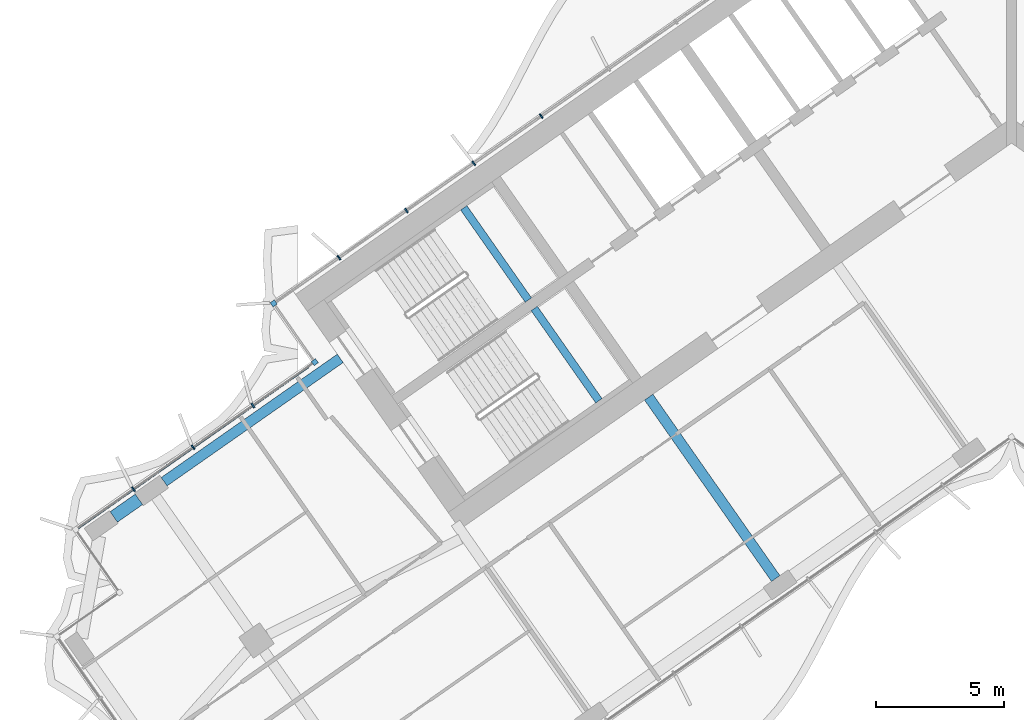
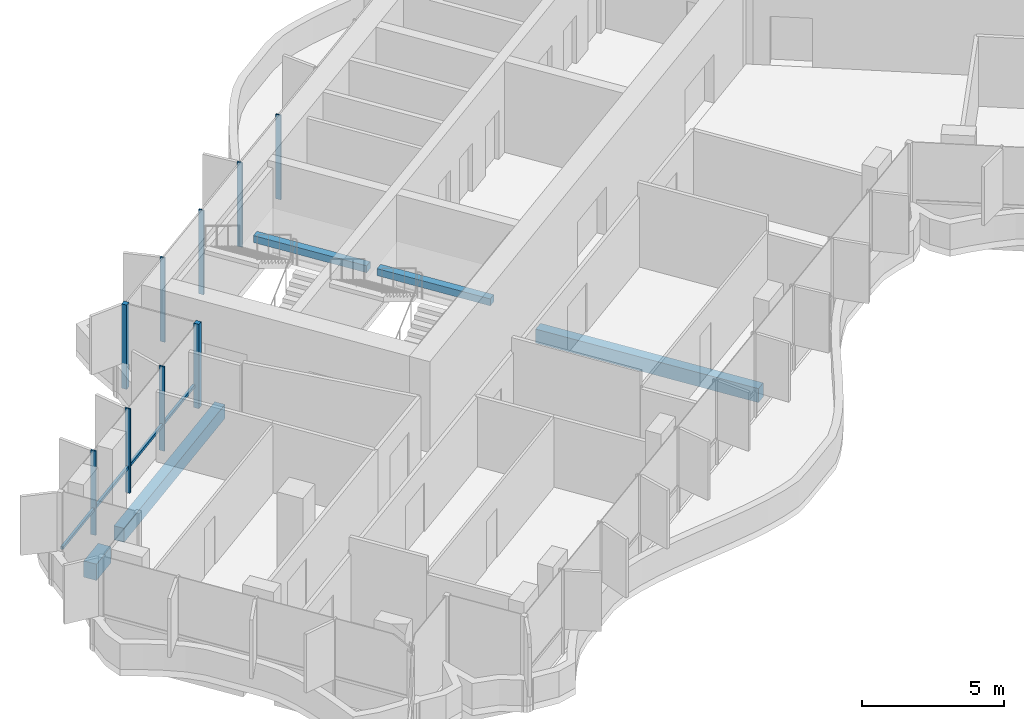
# One storey, part 4 of 23: 10 members, 5 beams, 2 elements without a shape of their own.
"""IFC4 building model written with IfcOpenShell, lengths in metres."""

import ifcopenshell
import ifcopenshell.guid

model = None  # the IFC model being written
_history = None  # IfcOwnerHistory: only IFC2X3 demands one
_inside = {}  # id of a spatial element -> (the spatial element, [elements in it])
_under = {}  # id of a project, library or spatial element -> (it, [spatial elements below it])
_declared = {}  # id of a project -> (the project, [libraries it declares])
_typed = {}  # id of a type object -> (the type object, [elements of that type])
_made_of = {}  # id of a material, layer set ... -> (it, [elements and type objects made of it])


def new_model(schema):
    """Start an empty IFC model of exactly this schema.

    Asked for "IFC4X3", IfcOpenShell would pick the latest addendum, in which some entities
    have other attributes; the version numbers below select the first issue.
    IFC2X3 requires an IfcOwnerHistory on every rooted entity: one is made here for all.
    """
    global model, _history
    if schema == "IFC4X3":
        model = ifcopenshell.file(schema_version=(4, 3, 0, 0))
    else:
        model = ifcopenshell.file(schema=schema)
    _inside.clear()
    _under.clear()
    _declared.clear()
    _typed.clear()
    _made_of.clear()
    _history = None
    if model.schema == "IFC2X3":
        org = make("IfcOrganization", Name="unknown")
        user = make(
            "IfcPersonAndOrganization",
            ThePerson=make("IfcPerson", FamilyName="unknown"),
            TheOrganization=org,
        )
        app = make(
            "IfcApplication",
            ApplicationDeveloper=org,
            Version="unknown",
            ApplicationFullName="unknown",
            ApplicationIdentifier="unknown",
        )
        _history = make(
            "IfcOwnerHistory",
            OwningUser=user,
            OwningApplication=app,
            ChangeAction="ADDED",
            CreationDate=0,
        )
    return model


def make(cls, **values):
    """One entity of the class cls with the attributes given. An attribute that is None is left unset."""
    return model.create_entity(
        cls, **{name: value for name, value in values.items() if value is not None}
    )


def rooted(cls, **values):
    """An entity with a GlobalId (a new one), such as an element, a storey or a relation."""
    return make(cls, GlobalId=ifcopenshell.guid.new(), OwnerHistory=_history, **values)


def si_unit(unit_type, name, prefix=None):
    """IfcSIUnit, for example si_unit("LENGTHUNIT", "METRE", prefix="MILLI")."""
    return make("IfcSIUnit", UnitType=unit_type, Prefix=prefix, Name=name)


def assignment(units):
    """IfcUnitAssignment: the units of a project."""
    return None if units is None else make("IfcUnitAssignment", Units=units)


def point(xyz):
    """IfcCartesianPoint."""
    return None if xyz is None else make("IfcCartesianPoint", Coordinates=xyz)


def direction(xyz):
    """IfcDirection."""
    return None if xyz is None else make("IfcDirection", DirectionRatios=xyz)


def frame(location, z_axis=None, x_axis=None):
    """IfcAxis2Placement3D, a coordinate frame: its origin and axes. An axis left out is left unset."""
    return make(
        "IfcAxis2Placement3D",
        Location=point(location),
        Axis=direction(z_axis),
        RefDirection=direction(x_axis),
    )


def frame_2d(location, x_axis=None):
    """IfcAxis2Placement2D, a coordinate frame in the plane: its origin and x axis."""
    return make(
        "IfcAxis2Placement2D", Location=point(location), RefDirection=direction(x_axis)
    )


def origin():
    """The frame at (0, 0, 0) with its axes left unset."""
    return frame((0.0, 0.0, 0.0))


def origin_2d():
    """The frame at (0, 0) in the plane with its x axis left unset."""
    return frame_2d((0.0, 0.0))


def place(relative_to, where):
    """IfcLocalPlacement: puts the frame where relative to a parent placement (None: the world)."""
    return make(
        "IfcLocalPlacement", PlacementRelTo=relative_to, RelativePlacement=where
    )


def context(
    kind, dimensions, precision=None, world=None, true_north=None, identifier=None
):
    """IfcGeometricRepresentationContext, for example the 3D "Model" context."""
    return make(
        "IfcGeometricRepresentationContext",
        ContextIdentifier=identifier,
        ContextType=kind,
        CoordinateSpaceDimension=dimensions,
        Precision=precision,
        WorldCoordinateSystem=world,
        TrueNorth=true_north,
    )


def subcontext(parent, identifier, kind, view, scale=None):
    """IfcGeometricRepresentationSubContext, for example "Body" below "Model"."""
    return make(
        "IfcGeometricRepresentationSubContext",
        ContextIdentifier=identifier,
        ContextType=kind,
        ParentContext=parent,
        TargetScale=scale,
        TargetView=view,
    )


def project(units=None, contexts=None):
    """IfcProject with its units and contexts."""
    return rooted(
        "IfcProject",
        Name="project",
        RepresentationContexts=contexts,
        UnitsInContext=assignment(units),
    )


def spatial(cls, under=None, at=None, **own):
    """A site, building, storey or space (cls), placed at a placement, below another one or the project."""
    s = rooted(cls, ObjectPlacement=at, **own)
    if under is not None:
        _under.setdefault(under.id(), (under, []))[1].append(s)
    return s


def profile(cls, at=None, kind="AREA", **sizes):
    """A parametric profile (cls). Its sizes go by their IFC names, for example OverallWidth=200.0."""
    return make(cls, ProfileType=kind, Position=at, **sizes)


def rectangle(**sizes):
    """IfcRectangleProfileDef."""
    return profile("IfcRectangleProfileDef", **sizes)


def extrude(swept, where, along, depth):
    """IfcExtrudedAreaSolid: the profile swept, set in the frame where, extruded along a direction by depth."""
    return make(
        "IfcExtrudedAreaSolid",
        SweptArea=swept,
        Position=where,
        ExtrudedDirection=direction(along),
        Depth=depth,
    )


def shape(context_of_items, identifier, shape_type, items):
    """IfcShapeRepresentation: the items that make up one representation, for example the "Body"."""
    return make(
        "IfcShapeRepresentation",
        ContextOfItems=context_of_items,
        RepresentationIdentifier=identifier,
        RepresentationType=shape_type,
        Items=items,
    )


def material(Name=None, Category=None):
    """IfcMaterial."""
    return make("IfcMaterial", Name=Name, Category=Category)


def material_profile(
    of_material, cross_section, Name=None, Category=None, Priority=None
):
    """IfcMaterialProfile: a cross section and its material."""
    return make(
        "IfcMaterialProfile",
        Name=Name,
        Material=of_material,
        Profile=cross_section,
        Priority=Priority,
        Category=Category,
    )


def profile_set(profiles, Name=None, composite=None):
    """IfcMaterialProfileSet."""
    return make(
        "IfcMaterialProfileSet",
        Name=Name,
        MaterialProfiles=profiles,
        CompositeProfile=composite,
    )


def made_of(thing, what):
    """Note that an element or type object is made of a material, layer set ...; save() writes the relation."""
    if what is not None:
        _made_of.setdefault(what.id(), (what, []))[1].append(thing)
    return thing


def type_object(cls, material=None, **own):
    """A type object (cls), such as IfcWallType, which elements share."""
    return made_of(rooted(cls, **own), material)


def element(
    cls,
    number,
    at=None,
    inside=None,
    cuts=None,
    type_object=None,
    material=None,
    context=None,
    identifier="Body",
    shape_type=None,
    held_by="IfcProductDefinitionShape",
    body=None,
    shapes=None,
    **own,
):
    """One element of the class cls, such as IfcWall. Its Tag is "e" and its number.

    at: its placement. inside: the storey or other place that contains it. cuts: it is an
    opening in that element (IfcRelVoidsElement). A single representation is given by context,
    identifier, shape_type and body (its items); several are given by shapes. held_by: the class
    of the entity that holds the representations. save() writes the other relations.
    """
    e = rooted(cls, Tag="e%d" % number, ObjectPlacement=at, **own)
    if body is not None:
        shapes = [shape(context, identifier, shape_type, body)]
    if shapes is not None:
        e.Representation = make(held_by, Representations=shapes)
    if inside is not None:
        _inside.setdefault(inside.id(), (inside, []))[1].append(e)
    if cuts is not None:
        rooted(
            "IfcRelVoidsElement", RelatingBuildingElement=cuts, RelatedOpeningElement=e
        )
    if type_object is not None:
        _typed.setdefault(type_object.id(), (type_object, []))[1].append(e)
    return made_of(e, material)


def aggregate(whole, parts):
    """IfcRelAggregates: a whole, such as a stair, and the parts it consists of."""
    return rooted("IfcRelAggregates", RelatingObject=whole, RelatedObjects=parts)


def save(model, path):
    """Write the relations noted so far, then the file.

    IfcRelAggregates (storeys below a building ...), IfcRelContainedInSpatialStructure (elements
    in a storey), IfcRelDefinesByType, IfcRelAssociatesMaterial and IfcRelDeclares: one each for
    every whole, place, type object, material and project.
    """
    for whole, parts in _under.values():
        aggregate(whole, parts)
    for where, things in _inside.values():
        rooted(
            "IfcRelContainedInSpatialStructure",
            RelatedElements=things,
            RelatingStructure=where,
        )
    for kind, things in _typed.values():
        rooted("IfcRelDefinesByType", RelatedObjects=things, RelatingType=kind)
    for what, things in _made_of.values():
        rooted("IfcRelAssociatesMaterial", RelatedObjects=things, RelatingMaterial=what)
    for by, libraries in _declared.values():
        rooted("IfcRelDeclares", RelatingContext=by, RelatedDefinitions=libraries)
    model.write(path)


model = new_model("IFC4")

# Units and contexts
model_context = context("Model", 3, precision=1e-05, world=origin(), true_north=direction((0.0, 1.0)))
body_context = subcontext(model_context, "Body", "Model", "MODEL_VIEW")
ifc_project = project(units=[si_unit("LENGTHUNIT", "METRE"), si_unit("AREAUNIT", "SQUARE_METRE"), si_unit("VOLUMEUNIT", "CUBIC_METRE"), si_unit("PLANEANGLEUNIT", "RADIAN"), si_unit("MASSUNIT", "GRAM", prefix="KILO")], contexts=[model_context])

# Site, building, storey
site_placement = place(None, origin())
site = spatial("IfcSite", under=ifc_project, at=site_placement, CompositionType="ELEMENT")
building_placement = place(site_placement, origin())
building = spatial("IfcBuilding", under=site, at=building_placement, Name="Tel Ilan Convention Tower", CompositionType="ELEMENT")
storey_placement = place(building_placement, frame((0.0, 0.0, 186.60009765625)))
storey = spatial("IfcBuildingStorey", under=building, at=storey_placement, Name="L43", CompositionType="ELEMENT", Elevation=186.60009765625)

# Beams
ifc_material_1 = material(Name="Concrete C40/50", Category="concrete")
ifc_material_profile_1 = material_profile(ifc_material_1, rectangle(XDim=0.39990234375, YDim=0.60009765625, at=origin_2d()), Name="RC 400x600")
ifc_profile_set_1 = profile_set([ifc_material_profile_1], Name="Concrete C40/50")
beam_type_1 = type_object("IfcBeamType", Name="Beam RC 400x600 Concrete C40/50", PredefinedType="BEAM", material=ifc_profile_set_1)
beam_1_placement = place(storey_placement, frame((-33.09912109375, -14.44775390625, -0.580078125), z_axis=(0.819147254605, 0.573583276668, 0.0), x_axis=(-0.573583276668, 0.819147254605, 0.0)))
element("IfcBeam", 1, at=beam_1_placement, inside=storey, type_object=beam_type_1, Name="L43 beam W-W-B4-core", PredefinedType="BEAM", context=body_context, shape_type="SweptSolid", body=[
    extrude(rectangle(XDim=0.39990234375, YDim=0.60009765625, at=origin_2d()), origin(), (0.0, 0.0, 1.0), 8.400146484375),
])
beam_2_placement = place(storey_placement, frame((-9.209716796875, -18.229248046875, -0.580078125), z_axis=(-0.573574099654, 0.819153680457, 0.0), x_axis=(-0.819153680457, -0.573574099654, 0.0)))
element("IfcBeam", 2, at=beam_2_placement, inside=storey, type_object=beam_type_1, Name="L43 beam W-W-F2-core", PredefinedType="BEAM", context=body_context, shape_type="SweptSolid", body=[
    extrude(rectangle(XDim=0.39990234375, YDim=0.60009765625, at=origin_2d()), origin(), (0.0, 0.0, 1.0), 8.64990234375),
])
ifc_material_2 = material(Name="Concrete C40/50", Category="concrete")
ifc_material_profile_2 = material_profile(ifc_material_2, rectangle(XDim=0.5, YDim=0.699951171875, at=origin_2d()), Name="RC 500x700")
ifc_profile_set_2 = profile_set([ifc_material_profile_2], Name="Concrete C40/50")
beam_type_2 = type_object("IfcBeamType", Name="Beam RC 500x700 Concrete C40/50", PredefinedType="BEAM", material=ifc_profile_set_2)
beam_3_placement = place(storey_placement, frame((-35.06494140625, -15.82421875, -0.630126953125), z_axis=(0.819155442668, 0.573571582932, 0.0), x_axis=(-0.573571582932, 0.819155442668, 0.0)))
element("IfcBeam", 3, at=beam_3_placement, inside=storey, type_object=beam_type_2, Name="L43 beam W-W-BC-W-B4", PredefinedType="BEAM", context=body_context, shape_type="SweptSolid", body=[
    extrude(rectangle(XDim=0.5, YDim=0.699951171875, at=origin_2d()), origin(), (0.0, 0.0, 1.0), 1.199951171875),
])

# Curtain wall, members
ifc_material_3 = material(Name="Aluminium, bronze anodised", Category="aluminium")
curtain_wall_type_1 = type_object("IfcCurtainWallType", Name="CW2 STICK CURTAIN WALL, SPANDREL PANELS", PredefinedType="NOTDEFINED", material=ifc_material_3)
curtain_wall_1_placement = place(storey_placement, origin())
curtain_wall_1 = element("IfcCurtainWall", 4, at=curtain_wall_1_placement, inside=storey, type_object=curtain_wall_type_1, Name="Curtain wall CW2-33.01", PredefinedType="NOTDEFINED")
ifc_material_4 = material(Name="Aluminium, bronze anodised", Category="aluminium")
ifc_material_profile_3 = material_profile(ifc_material_4, rectangle(XDim=0.199951171875, YDim=0.199951171875, at=origin_2d()), Name="CW CORNER MULLION 200x200")
ifc_profile_set_3 = profile_set([ifc_material_profile_3], Name="Aluminium, bronze anodised")
member_type_1 = type_object("IfcMemberType", Name="CW CORNER MULLION 200x200", PredefinedType="MULLION", material=ifc_profile_set_3)
member_1_placement = place(storey_placement, frame((-28.819580078125, -7.483642578125, 0.0), z_axis=(0.0, 0.0, 1.0), x_axis=(-0.819152044289, -0.573576436351, 0.0)))
member_1 = element("IfcMember", 5, at=member_1_placement, type_object=member_type_1, Name="Corner mullion", PredefinedType="MULLION", context=body_context, shape_type="SweptSolid", body=[
    extrude(rectangle(XDim=0.199951171875, YDim=0.199951171875, at=origin_2d()), origin(), (0.0, 0.0, 1.0), 3.619873046875),
])
member_2_placement = place(storey_placement, frame((-27.213623046875, -9.77734375, 0.0), z_axis=(0.0, 0.0, 1.0), x_axis=(0.573576436351, -0.819152044289, 0.0)))
member_2 = element("IfcMember", 6, at=member_2_placement, type_object=member_type_1, Name="Corner mullion", PredefinedType="MULLION", context=body_context, shape_type="SweptSolid", body=[
    extrude(rectangle(XDim=0.199951171875, YDim=0.199951171875, at=origin_2d()), origin(), (0.0, 0.0, 1.0), 3.619873046875),
])
ifc_material_5 = material(Name="Aluminium, bronze anodised", Category="aluminium")
ifc_material_profile_4 = material_profile(ifc_material_5, rectangle(XDim=0.06005859375, YDim=0.199951171875, at=origin_2d()), Name="CW MULLION 60x200")
ifc_profile_set_4 = profile_set([ifc_material_profile_4], Name="Aluminium, bronze anodised")
member_type_2 = type_object("IfcMemberType", Name="CW MULLION 60x200", PredefinedType="MULLION", material=ifc_profile_set_4)
member_3_placement = place(storey_placement, frame((-18.37109375, -0.16748046875, 0.0), z_axis=(0.0, 0.0, 1.0), x_axis=(-0.819152044289, -0.573576436351, 0.0)))
member_3 = element("IfcMember", 7, at=member_3_placement, type_object=member_type_2, Name="Mullion", PredefinedType="MULLION", context=body_context, shape_type="SweptSolid", body=[
    extrude(rectangle(XDim=0.06005859375, YDim=0.199951171875, at=origin_2d()), origin(), (0.0, 0.0, 1.0), 3.619873046875),
])
member_4_placement = place(storey_placement, frame((-21.003662109375, -2.0107421875, 0.0), z_axis=(0.0, 0.0, 1.0), x_axis=(-0.819152044289, -0.573576436351, 0.0)))
member_4 = element("IfcMember", 8, at=member_4_placement, type_object=member_type_2, Name="Mullion", PredefinedType="MULLION", context=body_context, shape_type="SweptSolid", body=[
    extrude(rectangle(XDim=0.06005859375, YDim=0.199951171875, at=origin_2d()), origin(), (0.0, 0.0, 1.0), 3.619873046875),
])
member_5_placement = place(storey_placement, frame((-23.63623046875, -3.854248046875, 0.0), z_axis=(0.0, 0.0, 1.0), x_axis=(-0.819152044289, -0.573576436351, 0.0)))
member_5 = element("IfcMember", 9, at=member_5_placement, type_object=member_type_2, Name="Mullion", PredefinedType="MULLION", context=body_context, shape_type="SweptSolid", body=[
    extrude(rectangle(XDim=0.06005859375, YDim=0.199951171875, at=origin_2d()), origin(), (0.0, 0.0, 1.0), 3.619873046875),
])
member_6_placement = place(storey_placement, frame((-26.268798828125, -5.697509765625, 0.0), z_axis=(0.0, 0.0, 1.0), x_axis=(-0.819152044289, -0.573576436351, 0.0)))
member_6 = element("IfcMember", 10, at=member_6_placement, type_object=member_type_2, Name="Mullion", PredefinedType="MULLION", context=body_context, shape_type="SweptSolid", body=[
    extrude(rectangle(XDim=0.06005859375, YDim=0.199951171875, at=origin_2d()), origin(), (0.0, 0.0, 1.0), 3.619873046875),
])
aggregate(curtain_wall_1, [member_3, member_4, member_5, member_6, member_1, member_2])

ifc_material_6 = material(Name="Aluminium, bronze anodised", Category="aluminium")
curtain_wall_type_2 = type_object("IfcCurtainWallType", Name="CW4 STICK CURTAIN WALL, OFFICE TINTED GLASS", PredefinedType="NOTDEFINED", material=ifc_material_6)
curtain_wall_2_placement = place(storey_placement, origin())
curtain_wall_2 = element("IfcCurtainWall", 11, at=curtain_wall_2_placement, inside=storey, type_object=curtain_wall_type_2, Name="Curtain wall CW4-33.02", PredefinedType="NOTDEFINED")
member_7_placement = place(storey_placement, frame((-29.630126953125, -11.46923828125, 0.0), z_axis=(0.0, 0.0, 1.0), x_axis=(-0.819152044289, -0.573576436351, 0.0)))
member_7 = element("IfcMember", 12, at=member_7_placement, type_object=member_type_2, Name="Mullion", PredefinedType="MULLION", context=body_context, shape_type="SweptSolid", body=[
    extrude(rectangle(XDim=0.06005859375, YDim=0.199951171875, at=origin_2d()), origin(), (0.0, 0.0, 1.0), 3.619873046875),
])
member_8_placement = place(storey_placement, frame((-31.964599609375, -13.10400390625, 0.0), z_axis=(0.0, 0.0, 1.0), x_axis=(-0.819152044289, -0.573576436351, 0.0)))
member_8 = element("IfcMember", 13, at=member_8_placement, type_object=member_type_2, Name="Mullion", PredefinedType="MULLION", context=body_context, shape_type="SweptSolid", body=[
    extrude(rectangle(XDim=0.06005859375, YDim=0.199951171875, at=origin_2d()), origin(), (0.0, 0.0, 1.0), 3.619873046875),
])
member_9_placement = place(storey_placement, frame((-34.299072265625, -14.73876953125, 0.0), z_axis=(0.0, 0.0, 1.0), x_axis=(-0.819152044289, -0.573576436351, 0.0)))
member_9 = element("IfcMember", 14, at=member_9_placement, type_object=member_type_2, Name="Mullion", PredefinedType="MULLION", context=body_context, shape_type="SweptSolid", body=[
    extrude(rectangle(XDim=0.06005859375, YDim=0.199951171875, at=origin_2d()), origin(), (0.0, 0.0, 1.0), 3.619873046875),
])
ifc_material_7 = material(Name="Aluminium, bronze anodised", Category="aluminium")
ifc_material_profile_5 = material_profile(ifc_material_7, rectangle(XDim=0.10009765625, YDim=0.1201171875, at=origin_2d()), Name="CW TRANSOM 100x120")
ifc_profile_set_5 = profile_set([ifc_material_profile_5], Name="Aluminium, bronze anodised")
member_type_3 = type_object("IfcMemberType", Name="CW TRANSOM 100x120", PredefinedType="USERDEFINED", material=ifc_profile_set_5)
member_10_placement = place(storey_placement, frame((-27.459228515625, -9.94921875, 1.099853515625), z_axis=(-0.819154753687, -0.57357256691, 0.0), x_axis=(0.57357256691, -0.819154753687, 0.0)))
member_10 = element("IfcMember", 15, at=member_10_placement, type_object=member_type_3, Name="Transom", ObjectType="TRANSOM", PredefinedType="USERDEFINED", context=body_context, shape_type="SweptSolid", body=[
    extrude(rectangle(XDim=0.10009765625, YDim=0.1201171875, at=origin_2d()), origin(), (0.0, 0.0, 1.0), 11.0),
])
aggregate(curtain_wall_2, [member_7, member_8, member_9, member_10])

# Beams
ifc_material_8 = material(Name="Concrete C40/50", Category="concrete")
ifc_material_profile_6 = material_profile(ifc_material_8, rectangle(XDim=0.300048828125, YDim=0.300048828125, at=origin_2d()), Name="RC 300x300")
ifc_profile_set_6 = profile_set([ifc_material_profile_6], Name="Concrete C40/50")
beam_type_3 = type_object("IfcBeamType", Name="Landing Beam RC 300x300 Concrete C40/50", PredefinedType="BEAM", material=ifc_profile_set_6)
beam_4_placement = place(storey_placement, frame((-18.870361328125, -7.353515625, 1.599853515625), z_axis=(-0.57354426506, 0.819174569928, 0.0), x_axis=(-0.819174569928, -0.57354426506, 0.0)))
element("IfcBeam", 16, at=beam_4_placement, inside=storey, type_object=beam_type_3, Name="S1 landing beam L43.1", PredefinedType="BEAM", context=body_context, shape_type="SweptSolid", body=[
    extrude(rectangle(XDim=0.300048828125, YDim=0.300048828125, at=origin_2d()), origin(), (0.0, 0.0, 1.0), 4.400146484375),
])
beam_5_placement = place(storey_placement, frame((-16.1171875, -11.285400390625, 1.599853515625), z_axis=(-0.573570334442, 0.819156316858, 0.0), x_axis=(-0.819156316858, -0.573570334442, 0.0)))
element("IfcBeam", 17, at=beam_5_placement, inside=storey, type_object=beam_type_3, Name="S2 landing beam L43.1", PredefinedType="BEAM", context=body_context, shape_type="SweptSolid", body=[
    extrude(rectangle(XDim=0.300048828125, YDim=0.300048828125, at=origin_2d()), origin(), (0.0, 0.0, 1.0), 4.39990234375),
])

save(model, "model.ifc")
